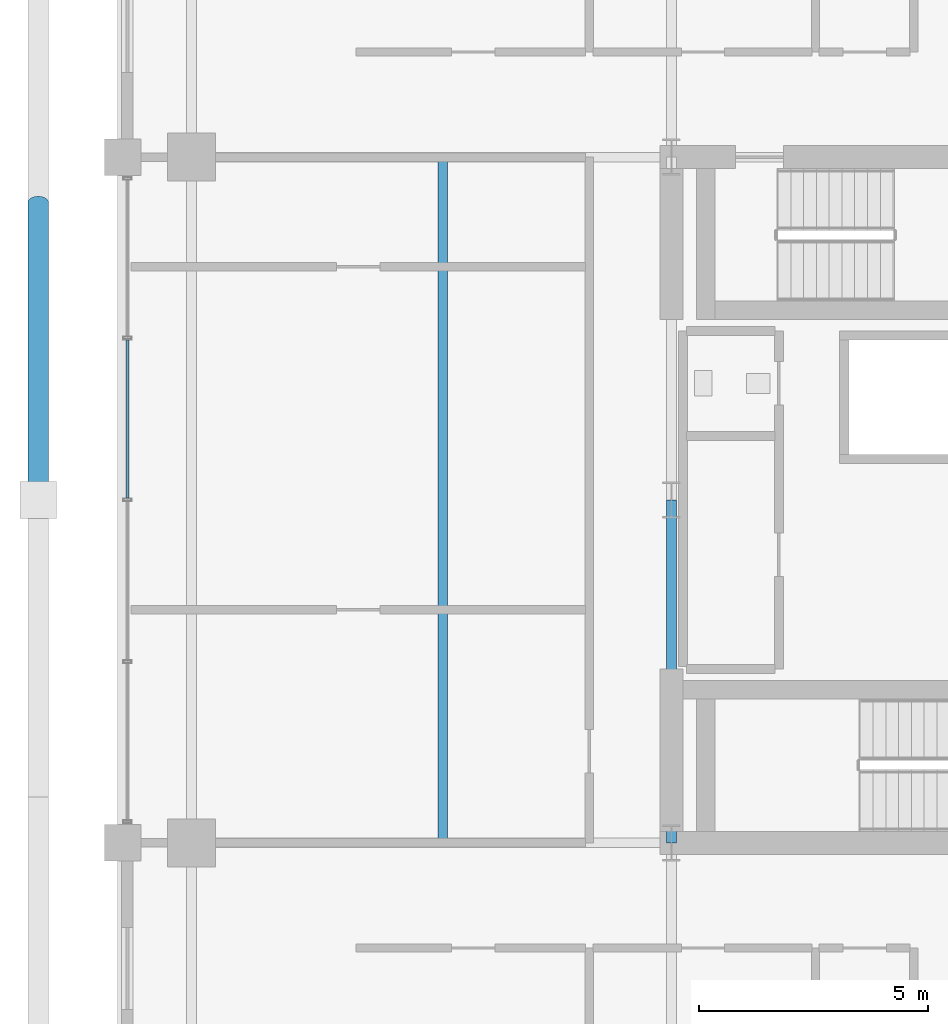
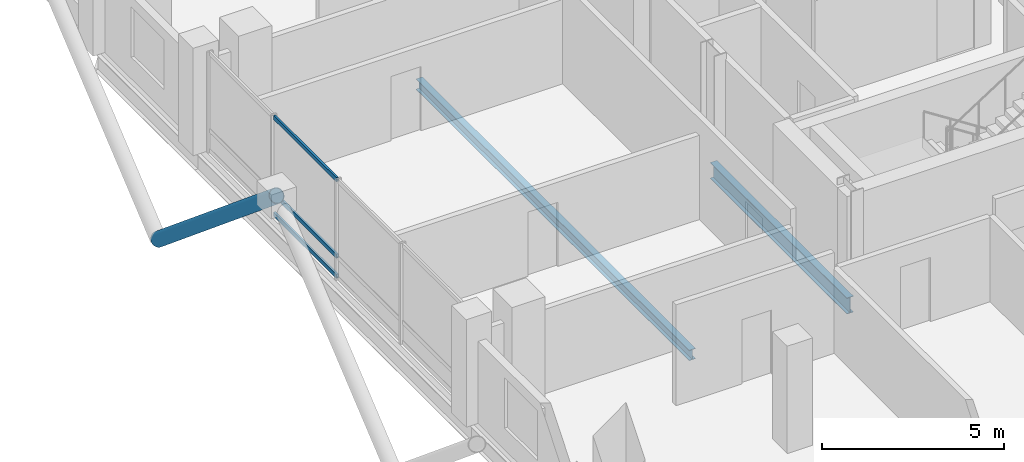
# One storey, part 7 of 24: 4 members, 2 beams, 1 element without a shape of its own.
"""IFC4 building model written with IfcOpenShell, lengths in metres."""

from ifc_helpers import new_model, si_unit, direction, frame, origin, origin_2d, place, context, subcontext, project, spatial, hollow_rectangle, hollow_circle, i_section, extrude, material, layer, layer_set, material_profile, profile_set, type_object, element, aggregate, save


model = new_model("IFC4")

# Units and contexts
model_context = context("Model", 3, precision=1e-05, world=origin(), true_north=direction((0.0, 1.0)))
body_context = subcontext(model_context, "Body", "Model", "MODEL_VIEW")
ifc_project = project(units=[si_unit("LENGTHUNIT", "METRE"), si_unit("AREAUNIT", "SQUARE_METRE"), si_unit("VOLUMEUNIT", "CUBIC_METRE"), si_unit("PLANEANGLEUNIT", "RADIAN"), si_unit("MASSUNIT", "GRAM", prefix="KILO")], contexts=[model_context])

# Site, building, storey
site_placement = place(None, origin())
site = spatial("IfcSite", under=ifc_project, at=site_placement, CompositionType="ELEMENT")
building_placement = place(site_placement, origin())
building = spatial("IfcBuilding", under=site, at=building_placement, Name="Barlavira Tower and Art Museum", CompositionType="ELEMENT")
storey_placement = place(building_placement, frame((0.0, 0.0, 172.800048828125)))
storey = spatial("IfcBuildingStorey", under=building, at=storey_placement, Name="L44", CompositionType="ELEMENT", Elevation=172.800048828125)

# Curtain wall, members
ifc_material_1 = material(Name="Low-iron coastal laminated glass", Category="glass")
ifc_layer = layer(ifc_material_1, 0.199951171875, Name="Low-iron coastal laminated glass")
ifc_layer_set = layer_set([ifc_layer], Name="Low-iron coastal laminated glass")
curtain_wall_type = type_object("IfcCurtainWallType", Name="Pale-Metal Unitised Curtain Wall Zone 3", PredefinedType="NOTDEFINED", material=ifc_layer_set)
curtain_wall_placement = place(storey_placement, origin())
curtain_wall = element("IfcCurtainWall", 1, at=curtain_wall_placement, inside=storey, type_object=curtain_wall_type, Name="L44 Curtain Wall CW3-L44-W-B3", PredefinedType="NOTDEFINED")
ifc_material_2 = material(Name="Pale anodised aluminium", Category="aluminium")
ifc_material_profile_1 = material_profile(ifc_material_2, hollow_rectangle(XDim=0.06494140625, YDim=0.139892578125, WallThickness=0.00390625, at=origin_2d()), Name="ALU-TRAN 65x140x4")
ifc_profile_set_1 = profile_set([ifc_material_profile_1], Name="Pale anodised aluminium")
member_type_1 = type_object("IfcMemberType", Name="Curtain Wall Pale-Metal Transom 65x140", PredefinedType="USERDEFINED", material=ifc_profile_set_1)
member_1_placement = place(storey_placement, frame((-18.39990234375, 3.4951171875, 0.070068359375), z_axis=(0.0, -1.0, 0.0), x_axis=(1.0, 0.0, 0.0)))
member_1 = element("IfcMember", 2, at=member_1_placement, type_object=member_type_1, Name="CW3-L44-W-B3 Transom 1.1", ObjectType="TRANSOM", PredefinedType="USERDEFINED", context=body_context, shape_type="SweptSolid", body=[
    extrude(hollow_rectangle(XDim=0.06494140625, YDim=0.139892578125, WallThickness=0.00390625, at=origin_2d()), origin(), (0.0, 0.0, 1.0), 3.4501953125),
])
member_2_placement = place(storey_placement, frame((-18.39990234375, 3.4951171875, 0.743896484375), z_axis=(0.0, -1.0, 0.0), x_axis=(1.0, 0.0, 0.0)))
member_2 = element("IfcMember", 3, at=member_2_placement, type_object=member_type_1, Name="CW3-L44-W-B3 Transom 1.2", ObjectType="TRANSOM", PredefinedType="USERDEFINED", context=body_context, shape_type="SweptSolid", body=[
    extrude(hollow_rectangle(XDim=0.06494140625, YDim=0.139892578125, WallThickness=0.00390625, at=origin_2d()), origin(), (0.0, 0.0, 1.0), 3.4501953125),
])
member_3_placement = place(storey_placement, frame((-18.39990234375, 3.4951171875, 3.31005859375), z_axis=(0.0, -1.0, 0.0), x_axis=(1.0, 0.0, 0.0)))
member_3 = element("IfcMember", 4, at=member_3_placement, type_object=member_type_1, Name="CW3-L44-W-B3 Transom 1.3", ObjectType="TRANSOM", PredefinedType="USERDEFINED", context=body_context, shape_type="SweptSolid", body=[
    extrude(hollow_rectangle(XDim=0.06494140625, YDim=0.139892578125, WallThickness=0.00390625, at=origin_2d()), origin(), (0.0, 0.0, 1.0), 3.4501953125),
])
aggregate(curtain_wall, [member_1, member_2, member_3])

# Member
ifc_material_3 = material(Name="Steel S355", Category="steel")
ifc_material_profile_2 = material_profile(ifc_material_3, hollow_circle(Radius=0.228515625, WallThickness=0.02001953125, at=origin_2d()), Name="CHS 457.0x20.0")
ifc_profile_set_2 = profile_set([ifc_material_profile_2], Name="Steel S355")
member_type_2 = type_object("IfcMemberType", Name="Pale-Metal Exoskeleton Diagrid Tube CHS 457x20 Steel S355", PredefinedType="BRACE", material=ifc_profile_set_2)
member_4_placement = place(storey_placement, frame((-20.35009765625, 6.5, -1.920166015625), z_axis=(0.0, -0.76918185268, 0.639029950399), x_axis=(1.0, 0.0, 0.0)))
element("IfcMember", 5, at=member_4_placement, inside=storey, type_object=member_type_2, Name="L44 Exoskeleton Diagrid Tube W", PredefinedType="BRACE", context=body_context, shape_type="SweptSolid", body=[
    extrude(hollow_circle(Radius=0.228515625, WallThickness=0.02001953125, at=origin_2d()), origin(), (0.0, 0.0, 1.0), 8.450439453125),
])

# Beams
ifc_material_profile_3 = material_profile(ifc_material_3, i_section(OverallWidth=0.205078125, OverallDepth=0.35400390625, WebThickness=0.009521484375, FlangeThickness=0.016845703125, at=origin_2d()), Name="W360x79.0")
ifc_profile_set_3 = profile_set([ifc_material_profile_3], Name="Steel S355")
beam_type_1 = type_object("IfcBeamType", Name="Zone 3 Composite Floor Joist W360x79 Steel S355", PredefinedType="JOIST", material=ifc_profile_set_3)
beam_1_placement = place(storey_placement, frame((-11.5, -7.5, -0.39697265625), z_axis=(0.0, 1.0, 0.0), x_axis=(-1.0, 0.0, 0.0)))
element("IfcBeam", 6, at=beam_1_placement, inside=storey, type_object=beam_type_1, Name="L44 Joist W1", PredefinedType="JOIST", context=body_context, shape_type="SweptSolid", body=[
    extrude(i_section(OverallWidth=0.205078125, OverallDepth=0.35400390625, WebThickness=0.009521484375, FlangeThickness=0.016845703125, at=origin_2d()), origin(), (0.0, 0.0, 1.0), 15.0),
])
ifc_material_profile_4 = material_profile(ifc_material_3, i_section(OverallWidth=0.2109375, OverallDepth=0.5390625, WebThickness=0.01171875, FlangeThickness=0.018798828125, at=origin_2d()), Name="W530x109.0")
ifc_profile_set_4 = profile_set([ifc_material_profile_4], Name="Steel S355")
beam_type_2 = type_object("IfcBeamType", Name="Zone 3-4 Primary Floor Girder W530x109 Steel S355", PredefinedType="BEAM", material=ifc_profile_set_4)
beam_2_placement = place(storey_placement, frame((-6.5, -7.5, -0.489501953125), z_axis=(0.0, 1.0, 0.0), x_axis=(-1.0, 0.0, 0.0)))
element("IfcBeam", 7, at=beam_2_placement, inside=storey, type_object=beam_type_2, Name="L44 Girder C-W1", PredefinedType="BEAM", context=body_context, shape_type="SweptSolid", body=[
    extrude(i_section(OverallWidth=0.2109375, OverallDepth=0.5390625, WebThickness=0.01171875, FlangeThickness=0.018798828125, at=origin_2d()), origin(), (0.0, 0.0, 1.0), 7.5),
])

save(model, "model.ifc")
